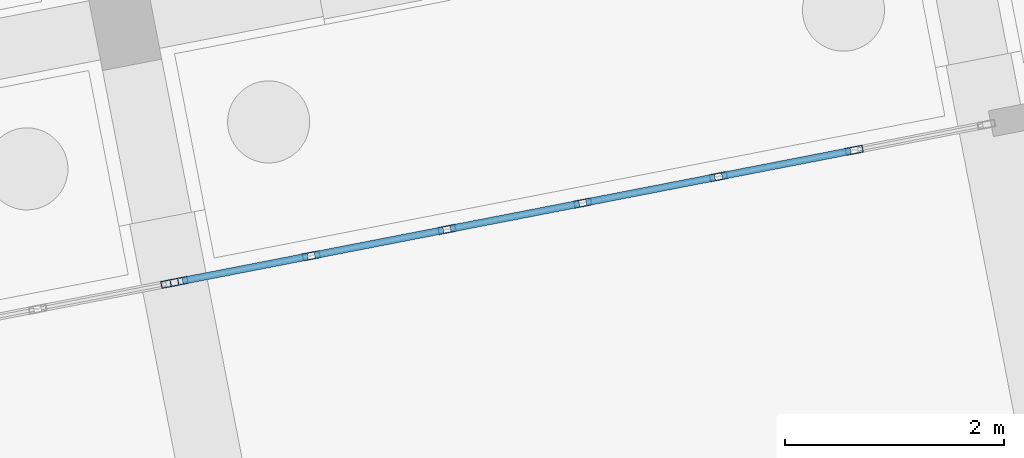
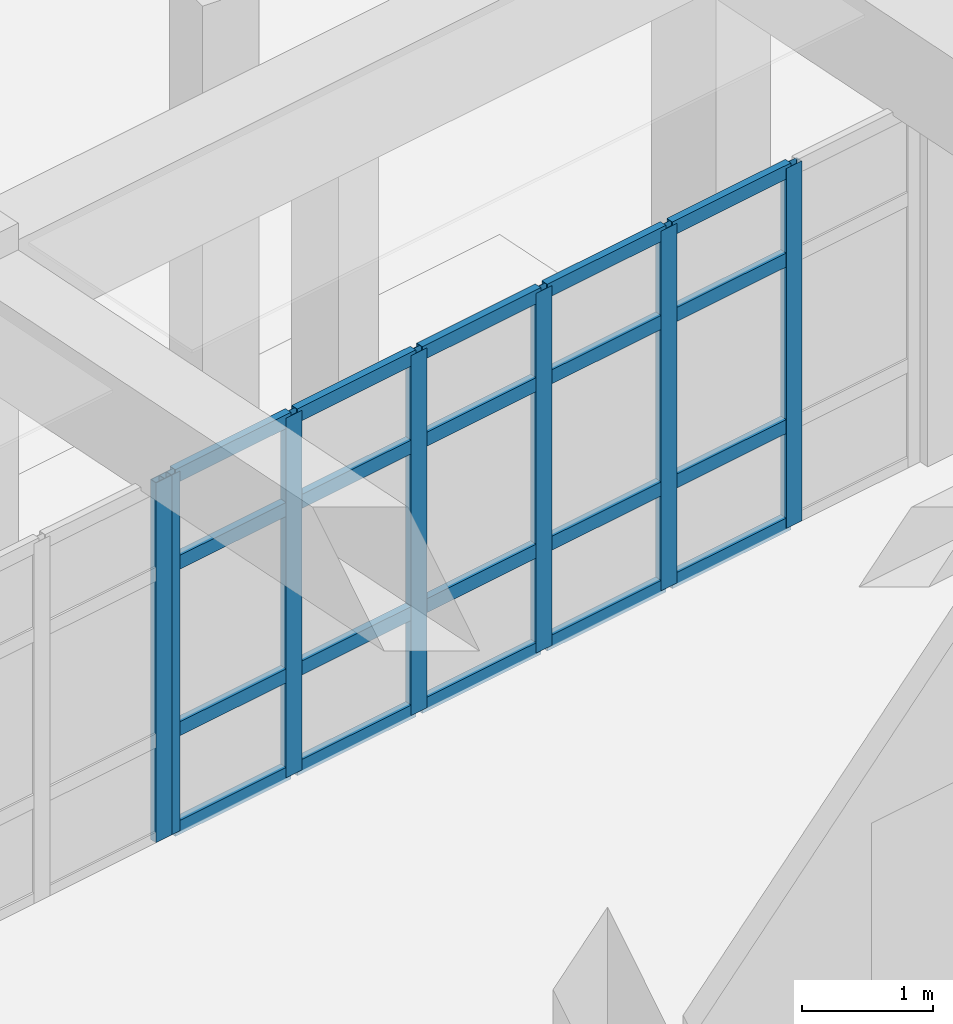
# One storey, part 93 of 154: 27 members, 2 elements without a shape of their own.
"""IFC4 building model written with IfcOpenShell, lengths in metres."""

from ifc_helpers import new_model, si_unit, direction, frame, origin, origin_2d, place, context, subcontext, project, spatial, hollow_rectangle, extrude, material, material_profile, profile_set, type_object, element, aggregate, save


model = new_model("IFC4")

# Units and contexts
model_context = context("Model", 3, precision=1e-05, world=origin(), true_north=direction((0.0, 1.0)))
body_context = subcontext(model_context, "Body", "Model", "MODEL_VIEW")
ifc_project = project(units=[si_unit("LENGTHUNIT", "METRE"), si_unit("AREAUNIT", "SQUARE_METRE"), si_unit("VOLUMEUNIT", "CUBIC_METRE"), si_unit("PLANEANGLEUNIT", "RADIAN"), si_unit("MASSUNIT", "GRAM", prefix="KILO")], contexts=[model_context])

# Site, building, storey
site_placement = place(None, origin())
site = spatial("IfcSite", under=ifc_project, at=site_placement, CompositionType="ELEMENT")
building_placement = place(site_placement, origin())
building = spatial("IfcBuilding", under=site, at=building_placement, Name="Kestramere Prow Commons", CompositionType="ELEMENT")
storey_placement = place(building_placement, origin())
storey = spatial("IfcBuildingStorey", under=building, at=storey_placement, Name="L00", CompositionType="ELEMENT", Elevation=0.0)

# Curtain wall, member
ifc_material_1 = material(Name="Anodised Aluminium and Low-E Glass", Category="aluminium")
curtain_wall_type = type_object("IfcCurtainWallType", Name="CW-07 Glazed Curtain Wall 7580x3350", PredefinedType="USERDEFINED", material=ifc_material_1)
curtain_wall_1_placement = place(storey_placement, origin())
curtain_wall_1 = element("IfcCurtainWall", 1, at=curtain_wall_1_placement, inside=storey, type_object=curtain_wall_type, Name="Block D L00 North Courtyard Storefront 2", ObjectType="GLAZED CURTAIN WALL", PredefinedType="USERDEFINED")
ifc_material_2 = material(Name="Anodised Aluminium 6063-T6", Category="aluminium")
ifc_material_profile_1 = material_profile(ifc_material_2, hollow_rectangle(XDim=0.06494140625, YDim=0.159912109375, WallThickness=0.00390625, at=origin_2d()), Name="ALU-MUL 65x160")
ifc_profile_set_1 = profile_set([ifc_material_profile_1], Name="Anodised Aluminium 6063-T6")
member_type_1 = type_object("IfcMemberType", Name="CW-MUL-65x160", PredefinedType="MULLION", material=ifc_profile_set_1)
member_1_placement = place(storey_placement, frame((129.9970703125, 53.776123046875, 0.0), z_axis=(0.0, 0.0, 1.0), x_axis=(-0.190808973121, 0.981627187774, 0.0)))
member_1 = element("IfcMember", 2, at=member_1_placement, type_object=member_type_1, Name="CW-07 mullion 7", PredefinedType="MULLION", context=body_context, shape_type="SweptSolid", body=[
    extrude(hollow_rectangle(XDim=0.06494140625, YDim=0.159912109375, WallThickness=0.00390625, at=origin_2d()), origin(), (0.0, 0.0, 1.0), 3.35009765625),
])
aggregate(curtain_wall_1, [member_1])

# Curtain wall, members
curtain_wall_2_placement = place(storey_placement, origin())
curtain_wall_2 = element("IfcCurtainWall", 3, at=curtain_wall_2_placement, inside=storey, type_object=curtain_wall_type, Name="Block D L00 North Courtyard Storefront 3", ObjectType="GLAZED CURTAIN WALL", PredefinedType="USERDEFINED")
member_2_placement = place(storey_placement, frame((130.08056640625, 53.79248046875, 0.0), z_axis=(0.0, 0.0, 1.0), x_axis=(-0.190809100228, 0.981627163067, 0.0)))
member_2 = element("IfcMember", 4, at=member_2_placement, type_object=member_type_1, Name="CW-07 mullion 1", PredefinedType="MULLION", context=body_context, shape_type="SweptSolid", body=[
    extrude(hollow_rectangle(XDim=0.06494140625, YDim=0.159912109375, WallThickness=0.00390625, at=origin_2d()), origin(), (0.0, 0.0, 1.0), 3.35009765625),
])
member_3_placement = place(storey_placement, frame((131.288818359375, 54.02734375, 0.0), z_axis=(0.0, 0.0, 1.0), x_axis=(-0.190809100228, 0.981627163067, 0.0)))
member_3 = element("IfcMember", 5, at=member_3_placement, type_object=member_type_1, Name="CW-07 mullion 2", PredefinedType="MULLION", context=body_context, shape_type="SweptSolid", body=[
    extrude(hollow_rectangle(XDim=0.06494140625, YDim=0.159912109375, WallThickness=0.00390625, at=origin_2d()), origin(), (0.0, 0.0, 1.0), 3.35009765625),
])
member_4_placement = place(storey_placement, frame((132.52880859375, 54.268310546875, 0.0), z_axis=(0.0, 0.0, 1.0), x_axis=(-0.190809100228, 0.981627163067, 0.0)))
member_4 = element("IfcMember", 6, at=member_4_placement, type_object=member_type_1, Name="CW-07 mullion 3", PredefinedType="MULLION", context=body_context, shape_type="SweptSolid", body=[
    extrude(hollow_rectangle(XDim=0.06494140625, YDim=0.159912109375, WallThickness=0.00390625, at=origin_2d()), origin(), (0.0, 0.0, 1.0), 3.35009765625),
])
member_5_placement = place(storey_placement, frame((133.76904296875, 54.50927734375, 0.0), z_axis=(0.0, 0.0, 1.0), x_axis=(-0.190809100228, 0.981627163067, 0.0)))
member_5 = element("IfcMember", 7, at=member_5_placement, type_object=member_type_1, Name="CW-07 mullion 4", PredefinedType="MULLION", context=body_context, shape_type="SweptSolid", body=[
    extrude(hollow_rectangle(XDim=0.06494140625, YDim=0.159912109375, WallThickness=0.00390625, at=origin_2d()), origin(), (0.0, 0.0, 1.0), 3.35009765625),
])
member_6_placement = place(storey_placement, frame((135.009033203125, 54.75048828125, 0.0), z_axis=(0.0, 0.0, 1.0), x_axis=(-0.190809100228, 0.981627163067, 0.0)))
member_6 = element("IfcMember", 8, at=member_6_placement, type_object=member_type_1, Name="CW-07 mullion 5", PredefinedType="MULLION", context=body_context, shape_type="SweptSolid", body=[
    extrude(hollow_rectangle(XDim=0.06494140625, YDim=0.159912109375, WallThickness=0.00390625, at=origin_2d()), origin(), (0.0, 0.0, 1.0), 3.35009765625),
])
member_7_placement = place(storey_placement, frame((136.249267578125, 54.991455078125, 0.0), z_axis=(0.0, 0.0, 1.0), x_axis=(-0.190809100228, 0.981627163067, 0.0)))
member_7 = element("IfcMember", 9, at=member_7_placement, type_object=member_type_1, Name="CW-07 mullion 6", PredefinedType="MULLION", context=body_context, shape_type="SweptSolid", body=[
    extrude(hollow_rectangle(XDim=0.06494140625, YDim=0.159912109375, WallThickness=0.00390625, at=origin_2d()), origin(), (0.0, 0.0, 1.0), 3.35009765625),
])
ifc_material_profile_2 = material_profile(ifc_material_2, hollow_rectangle(XDim=0.06494140625, YDim=0.1298828125, WallThickness=0.00390625, at=origin_2d()), Name="ALU-TRN 65x130")
ifc_profile_set_2 = profile_set([ifc_material_profile_2], Name="Anodised Aluminium 6063-T6")
member_type_2 = type_object("IfcMemberType", Name="CW-TRN-65x130", PredefinedType="USERDEFINED", material=ifc_profile_set_2)
member_8_placement = place(storey_placement, frame((130.112548828125, 53.798583984375, 0.032470703125), z_axis=(0.981629557026, 0.190796783967, 0.0), x_axis=(-0.190796783967, 0.981629557026, 0.0)))
member_8 = element("IfcMember", 10, at=member_8_placement, type_object=member_type_2, Name="CW-07 transom 1.1", ObjectType="TRANSOM", PredefinedType="USERDEFINED", context=body_context, shape_type="SweptSolid", body=[
    extrude(hollow_rectangle(XDim=0.06494140625, YDim=0.1298828125, WallThickness=0.00390625, at=origin_2d()), origin(), (0.0, 0.0, 1.0), 1.165771484375),
])
member_9_placement = place(storey_placement, frame((130.112548828125, 53.798583984375, 0.949951171875), z_axis=(0.981629557026, 0.190796783967, 0.0), x_axis=(-0.190796783967, 0.981629557026, 0.0)))
member_9 = element("IfcMember", 11, at=member_9_placement, type_object=member_type_2, Name="CW-07 transom 1.2", ObjectType="TRANSOM", PredefinedType="USERDEFINED", context=body_context, shape_type="SweptSolid", body=[
    extrude(hollow_rectangle(XDim=0.06494140625, YDim=0.1298828125, WallThickness=0.00390625, at=origin_2d()), origin(), (0.0, 0.0, 1.0), 1.165771484375),
])
member_10_placement = place(storey_placement, frame((130.112548828125, 53.798583984375, 2.5), z_axis=(0.981629557026, 0.190796783967, 0.0), x_axis=(-0.190796783967, 0.981629557026, 0.0)))
member_10 = element("IfcMember", 12, at=member_10_placement, type_object=member_type_2, Name="CW-07 transom 1.3", ObjectType="TRANSOM", PredefinedType="USERDEFINED", context=body_context, shape_type="SweptSolid", body=[
    extrude(hollow_rectangle(XDim=0.06494140625, YDim=0.1298828125, WallThickness=0.00390625, at=origin_2d()), origin(), (0.0, 0.0, 1.0), 1.165771484375),
])
member_11_placement = place(storey_placement, frame((130.112548828125, 53.798583984375, 3.3173828125), z_axis=(0.981629557026, 0.190796783967, 0.0), x_axis=(-0.190796783967, 0.981629557026, 0.0)))
member_11 = element("IfcMember", 13, at=member_11_placement, type_object=member_type_2, Name="CW-07 transom 1.4", ObjectType="TRANSOM", PredefinedType="USERDEFINED", context=body_context, shape_type="SweptSolid", body=[
    extrude(hollow_rectangle(XDim=0.06494140625, YDim=0.1298828125, WallThickness=0.00390625, at=origin_2d()), origin(), (0.0, 0.0, 1.0), 1.165771484375),
])
member_12_placement = place(storey_placement, frame((131.320556640625, 54.033447265625, 0.032470703125), z_axis=(0.981616449787, 0.190864206983, 0.0), x_axis=(-0.190864206983, 0.981616449787, 0.0)))
member_12 = element("IfcMember", 14, at=member_12_placement, type_object=member_type_2, Name="CW-07 transom 2.1", ObjectType="TRANSOM", PredefinedType="USERDEFINED", context=body_context, shape_type="SweptSolid", body=[
    extrude(hollow_rectangle(XDim=0.06494140625, YDim=0.1298828125, WallThickness=0.00390625, at=origin_2d()), origin(), (0.0, 0.0, 1.0), 1.198486328125),
])
member_13_placement = place(storey_placement, frame((131.320556640625, 54.033447265625, 0.949951171875), z_axis=(0.981616449787, 0.190864206983, 0.0), x_axis=(-0.190864206983, 0.981616449787, 0.0)))
member_13 = element("IfcMember", 15, at=member_13_placement, type_object=member_type_2, Name="CW-07 transom 2.2", ObjectType="TRANSOM", PredefinedType="USERDEFINED", context=body_context, shape_type="SweptSolid", body=[
    extrude(hollow_rectangle(XDim=0.06494140625, YDim=0.1298828125, WallThickness=0.00390625, at=origin_2d()), origin(), (0.0, 0.0, 1.0), 1.198486328125),
])
member_14_placement = place(storey_placement, frame((131.320556640625, 54.033447265625, 2.5), z_axis=(0.981616449787, 0.190864206983, 0.0), x_axis=(-0.190864206983, 0.981616449787, 0.0)))
member_14 = element("IfcMember", 16, at=member_14_placement, type_object=member_type_2, Name="CW-07 transom 2.3", ObjectType="TRANSOM", PredefinedType="USERDEFINED", context=body_context, shape_type="SweptSolid", body=[
    extrude(hollow_rectangle(XDim=0.06494140625, YDim=0.1298828125, WallThickness=0.00390625, at=origin_2d()), origin(), (0.0, 0.0, 1.0), 1.198486328125),
])
member_15_placement = place(storey_placement, frame((131.320556640625, 54.033447265625, 3.3173828125), z_axis=(0.981616449787, 0.190864206983, 0.0), x_axis=(-0.190864206983, 0.981616449787, 0.0)))
member_15 = element("IfcMember", 17, at=member_15_placement, type_object=member_type_2, Name="CW-07 transom 2.4", ObjectType="TRANSOM", PredefinedType="USERDEFINED", context=body_context, shape_type="SweptSolid", body=[
    extrude(hollow_rectangle(XDim=0.06494140625, YDim=0.1298828125, WallThickness=0.00390625, at=origin_2d()), origin(), (0.0, 0.0, 1.0), 1.198486328125),
])
member_16_placement = place(storey_placement, frame((132.560791015625, 54.2744140625, 0.032470703125), z_axis=(0.981609027049, 0.190902378237, 0.0), x_axis=(-0.190902378237, 0.981609027049, 0.0)))
member_16 = element("IfcMember", 18, at=member_16_placement, type_object=member_type_2, Name="CW-07 transom 3.1", ObjectType="TRANSOM", PredefinedType="USERDEFINED", context=body_context, shape_type="SweptSolid", body=[
    extrude(hollow_rectangle(XDim=0.06494140625, YDim=0.1298828125, WallThickness=0.00390625, at=origin_2d()), origin(), (0.0, 0.0, 1.0), 1.1982421875),
])
member_17_placement = place(storey_placement, frame((132.560791015625, 54.2744140625, 0.949951171875), z_axis=(0.981609027049, 0.190902378237, 0.0), x_axis=(-0.190902378237, 0.981609027049, 0.0)))
member_17 = element("IfcMember", 19, at=member_17_placement, type_object=member_type_2, Name="CW-07 transom 3.2", ObjectType="TRANSOM", PredefinedType="USERDEFINED", context=body_context, shape_type="SweptSolid", body=[
    extrude(hollow_rectangle(XDim=0.06494140625, YDim=0.1298828125, WallThickness=0.00390625, at=origin_2d()), origin(), (0.0, 0.0, 1.0), 1.1982421875),
])
member_18_placement = place(storey_placement, frame((132.560791015625, 54.2744140625, 2.5), z_axis=(0.981609027049, 0.190902378237, 0.0), x_axis=(-0.190902378237, 0.981609027049, 0.0)))
member_18 = element("IfcMember", 20, at=member_18_placement, type_object=member_type_2, Name="CW-07 transom 3.3", ObjectType="TRANSOM", PredefinedType="USERDEFINED", context=body_context, shape_type="SweptSolid", body=[
    extrude(hollow_rectangle(XDim=0.06494140625, YDim=0.1298828125, WallThickness=0.00390625, at=origin_2d()), origin(), (0.0, 0.0, 1.0), 1.1982421875),
])
member_19_placement = place(storey_placement, frame((132.560791015625, 54.2744140625, 3.3173828125), z_axis=(0.981609027049, 0.190902378237, 0.0), x_axis=(-0.190902378237, 0.981609027049, 0.0)))
member_19 = element("IfcMember", 21, at=member_19_placement, type_object=member_type_2, Name="CW-07 transom 3.4", ObjectType="TRANSOM", PredefinedType="USERDEFINED", context=body_context, shape_type="SweptSolid", body=[
    extrude(hollow_rectangle(XDim=0.06494140625, YDim=0.1298828125, WallThickness=0.00390625, at=origin_2d()), origin(), (0.0, 0.0, 1.0), 1.1982421875),
])
member_20_placement = place(storey_placement, frame((133.801025390625, 54.515625, 0.032470703125), z_axis=(0.981647187644, 0.190706053889, 0.0), x_axis=(-0.190706053889, 0.981647187644, 0.0)))
member_20 = element("IfcMember", 22, at=member_20_placement, type_object=member_type_2, Name="CW-07 transom 4.1", ObjectType="TRANSOM", PredefinedType="USERDEFINED", context=body_context, shape_type="SweptSolid", body=[
    extrude(hollow_rectangle(XDim=0.06494140625, YDim=0.1298828125, WallThickness=0.00390625, at=origin_2d()), origin(), (0.0, 0.0, 1.0), 1.1982421875),
])
member_21_placement = place(storey_placement, frame((133.801025390625, 54.515625, 0.949951171875), z_axis=(0.981647187644, 0.190706053889, 0.0), x_axis=(-0.190706053889, 0.981647187644, 0.0)))
member_21 = element("IfcMember", 23, at=member_21_placement, type_object=member_type_2, Name="CW-07 transom 4.2", ObjectType="TRANSOM", PredefinedType="USERDEFINED", context=body_context, shape_type="SweptSolid", body=[
    extrude(hollow_rectangle(XDim=0.06494140625, YDim=0.1298828125, WallThickness=0.00390625, at=origin_2d()), origin(), (0.0, 0.0, 1.0), 1.1982421875),
])
member_22_placement = place(storey_placement, frame((133.801025390625, 54.515625, 2.5), z_axis=(0.981647187644, 0.190706053889, 0.0), x_axis=(-0.190706053889, 0.981647187644, 0.0)))
member_22 = element("IfcMember", 24, at=member_22_placement, type_object=member_type_2, Name="CW-07 transom 4.3", ObjectType="TRANSOM", PredefinedType="USERDEFINED", context=body_context, shape_type="SweptSolid", body=[
    extrude(hollow_rectangle(XDim=0.06494140625, YDim=0.1298828125, WallThickness=0.00390625, at=origin_2d()), origin(), (0.0, 0.0, 1.0), 1.1982421875),
])
member_23_placement = place(storey_placement, frame((133.801025390625, 54.515625, 3.3173828125), z_axis=(0.981647187644, 0.190706053889, 0.0), x_axis=(-0.190706053889, 0.981647187644, 0.0)))
member_23 = element("IfcMember", 25, at=member_23_placement, type_object=member_type_2, Name="CW-07 transom 4.4", ObjectType="TRANSOM", PredefinedType="USERDEFINED", context=body_context, shape_type="SweptSolid", body=[
    extrude(hollow_rectangle(XDim=0.06494140625, YDim=0.1298828125, WallThickness=0.00390625, at=origin_2d()), origin(), (0.0, 0.0, 1.0), 1.1982421875),
])
member_24_placement = place(storey_placement, frame((135.041015625, 54.756591796875, 0.032470703125), z_axis=(0.981609027049, 0.190902378237, 0.0), x_axis=(-0.190902378237, 0.981609027049, 0.0)))
member_24 = element("IfcMember", 26, at=member_24_placement, type_object=member_type_2, Name="CW-07 transom 5.1", ObjectType="TRANSOM", PredefinedType="USERDEFINED", context=body_context, shape_type="SweptSolid", body=[
    extrude(hollow_rectangle(XDim=0.06494140625, YDim=0.1298828125, WallThickness=0.00390625, at=origin_2d()), origin(), (0.0, 0.0, 1.0), 1.1982421875),
])
member_25_placement = place(storey_placement, frame((135.041015625, 54.756591796875, 0.949951171875), z_axis=(0.981609027049, 0.190902378237, 0.0), x_axis=(-0.190902378237, 0.981609027049, 0.0)))
member_25 = element("IfcMember", 27, at=member_25_placement, type_object=member_type_2, Name="CW-07 transom 5.2", ObjectType="TRANSOM", PredefinedType="USERDEFINED", context=body_context, shape_type="SweptSolid", body=[
    extrude(hollow_rectangle(XDim=0.06494140625, YDim=0.1298828125, WallThickness=0.00390625, at=origin_2d()), origin(), (0.0, 0.0, 1.0), 1.1982421875),
])
member_26_placement = place(storey_placement, frame((135.041015625, 54.756591796875, 2.5), z_axis=(0.981609027049, 0.190902378237, 0.0), x_axis=(-0.190902378237, 0.981609027049, 0.0)))
member_26 = element("IfcMember", 28, at=member_26_placement, type_object=member_type_2, Name="CW-07 transom 5.3", ObjectType="TRANSOM", PredefinedType="USERDEFINED", context=body_context, shape_type="SweptSolid", body=[
    extrude(hollow_rectangle(XDim=0.06494140625, YDim=0.1298828125, WallThickness=0.00390625, at=origin_2d()), origin(), (0.0, 0.0, 1.0), 1.1982421875),
])
member_27_placement = place(storey_placement, frame((135.041015625, 54.756591796875, 3.3173828125), z_axis=(0.981609027049, 0.190902378237, 0.0), x_axis=(-0.190902378237, 0.981609027049, 0.0)))
member_27 = element("IfcMember", 29, at=member_27_placement, type_object=member_type_2, Name="CW-07 transom 5.4", ObjectType="TRANSOM", PredefinedType="USERDEFINED", context=body_context, shape_type="SweptSolid", body=[
    extrude(hollow_rectangle(XDim=0.06494140625, YDim=0.1298828125, WallThickness=0.00390625, at=origin_2d()), origin(), (0.0, 0.0, 1.0), 1.1982421875),
])
aggregate(curtain_wall_2, [member_2, member_3, member_4, member_5, member_6, member_7, member_8, member_9, member_10, member_11, member_12, member_13, member_14, member_15, member_16, member_17, member_18, member_19, member_20, member_21, member_22, member_23, member_24, member_25, member_26, member_27])

save(model, "model.ifc")
